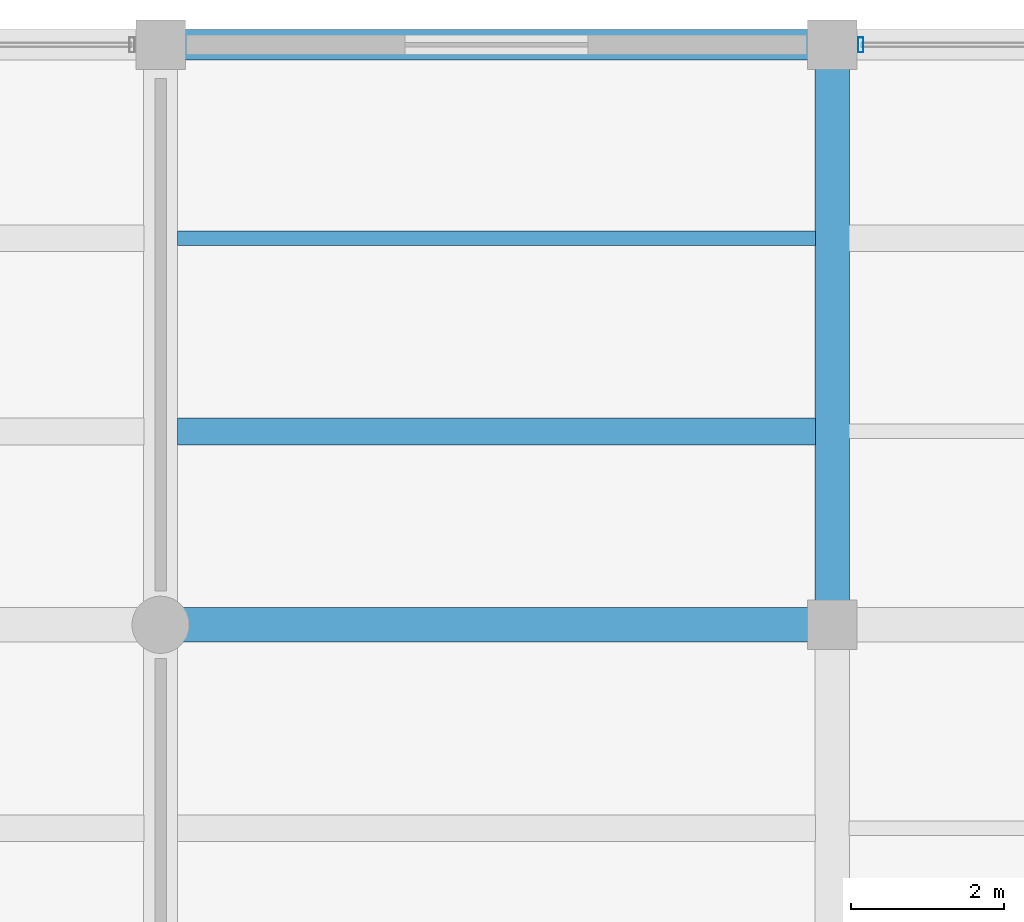
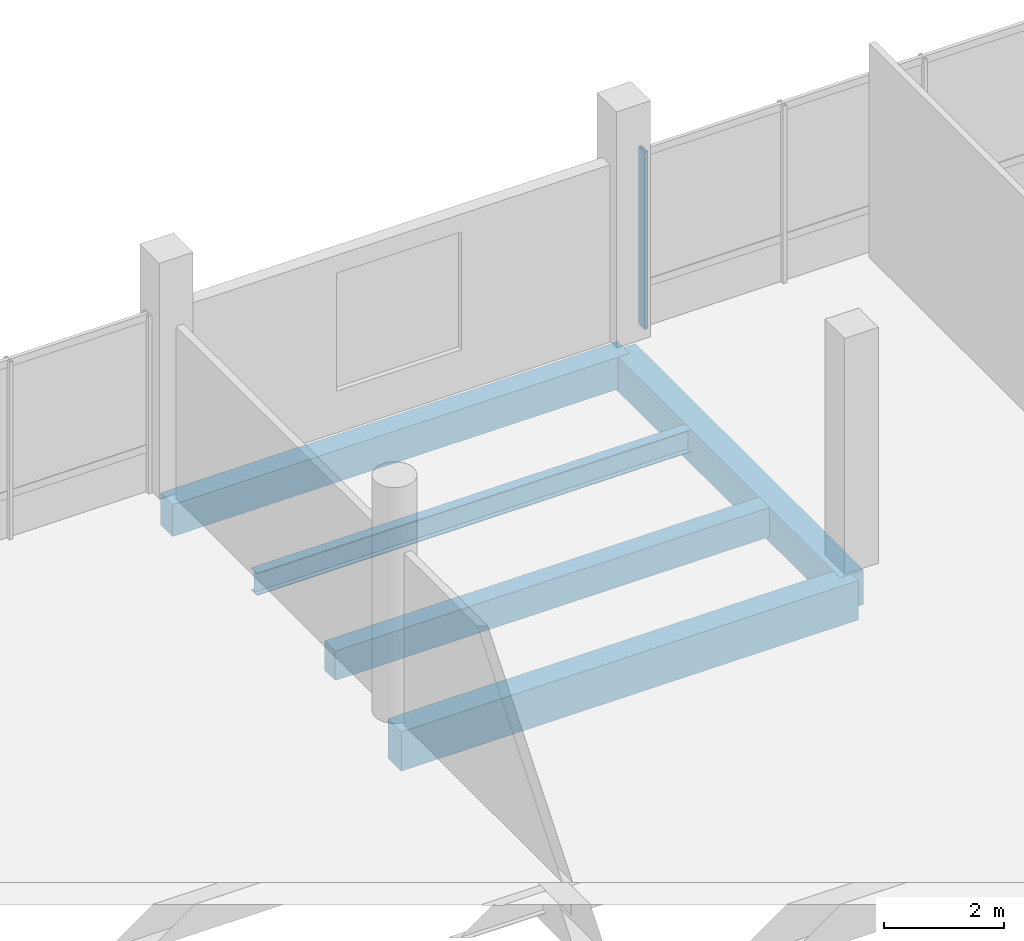
# One storey, part 41 of 71: 5 beams, 1 member, 1 element without a shape of its own.
"""IFC4 building model written with IfcOpenShell, lengths in metres."""

from ifc_helpers import new_model, si_unit, direction, frame, origin, origin_2d, place, context, subcontext, project, spatial, rectangle, hollow_rectangle, i_section, extrude, material, layer, layer_set, material_profile, profile_set, type_object, element, aggregate, save


model = new_model("IFC4")

# Units and contexts
model_context = context("Model", 3, precision=1e-05, world=origin(), true_north=direction((0.0, 1.0)))
body_context = subcontext(model_context, "Body", "Model", "MODEL_VIEW")
ifc_project = project(units=[si_unit("LENGTHUNIT", "METRE"), si_unit("AREAUNIT", "SQUARE_METRE"), si_unit("VOLUMEUNIT", "CUBIC_METRE"), si_unit("PLANEANGLEUNIT", "RADIAN"), si_unit("MASSUNIT", "GRAM", prefix="KILO")], contexts=[model_context])

# Site, building, storey
site_placement = place(None, origin())
site = spatial("IfcSite", under=ifc_project, at=site_placement, CompositionType="ELEMENT")
building_placement = place(site_placement, origin())
building = spatial("IfcBuilding", under=site, at=building_placement, Name="Meriwether Solvik Hall", CompositionType="ELEMENT")
storey_placement = place(building_placement, frame((0.0, 0.0, 5.10009765625)))
storey = spatial("IfcBuildingStorey", under=building, at=storey_placement, Name="L01", CompositionType="ELEMENT", Elevation=5.10009765625)

# Beams
ifc_material_1 = material(Name="Concrete C40/50", Category="concrete")
ifc_material_profile_1 = material_profile(ifc_material_1, rectangle(XDim=0.35009765625, YDim=0.60009765625, at=origin_2d()), Name="RCB-350X600")
ifc_profile_set_1 = profile_set([ifc_material_profile_1], Name="Concrete C40/50")
beam_type_1 = type_object("IfcBeamType", Name="BM-RC-350X600", PredefinedType="JOIST", material=ifc_profile_set_1)
beam_1_placement = place(storey_placement, frame((123.219970703125, 111.7333984375, -0.60009765625), z_axis=(1.0, 0.0, 0.0), x_axis=(0.0, 1.0, 0.0)))
element("IfcBeam", 1, at=beam_1_placement, inside=storey, type_object=beam_type_1, Name="Secondary Floor Joist 14/M_J1 (L01)", PredefinedType="JOIST", context=body_context, shape_type="SweptSolid", body=[
    extrude(rectangle(XDim=0.35009765625, YDim=0.60009765625, at=origin_2d()), origin(), (0.0, 0.0, 1.0), 8.360107421875),
])
ifc_material_2 = material(Name="Concrete C40/50", Category="concrete")
ifc_material_profile_2 = material_profile(ifc_material_2, rectangle(XDim=0.39990234375, YDim=0.64990234375, at=origin_2d()), Name="RCB-400X650")
ifc_profile_set_2 = profile_set([ifc_material_profile_2], Name="Concrete C40/50")
beam_type_2 = type_object("IfcBeamType", Name="BM-RC-400X650", PredefinedType="SPANDREL", material=ifc_profile_set_2)
beam_2_placement = place(storey_placement, frame((123.0, 116.800048828125, -0.625), z_axis=(1.0, 0.0, 0.0), x_axis=(0.0, 1.0, 0.0)))
element("IfcBeam", 2, at=beam_2_placement, inside=storey, type_object=beam_type_2, Name="Podium Girder N:14-15 (L01)", PredefinedType="SPANDREL", context=body_context, shape_type="SweptSolid", body=[
    extrude(rectangle(XDim=0.39990234375, YDim=0.64990234375, at=origin_2d()), origin(), (0.0, 0.0, 1.0), 8.800048828125),
])
ifc_material_3 = material(Name="Concrete C40/50", Category="concrete")
ifc_material_profile_3 = material_profile(ifc_material_3, rectangle(XDim=0.449951171875, YDim=0.699951171875, at=origin_2d()), Name="RCB-450X700")
ifc_profile_set_3 = profile_set([ifc_material_profile_3], Name="Concrete C40/50")
beam_type_3 = type_object("IfcBeamType", Name="BM-RC-450X700", PredefinedType="BEAM", material=ifc_profile_set_3)
beam_3_placement = place(storey_placement, frame((131.800048828125, 109.199951171875, -0.650146484375), z_axis=(0.0, 1.0, 0.0), x_axis=(-1.0, 0.0, 0.0)))
element("IfcBeam", 3, at=beam_3_placement, inside=storey, type_object=beam_type_3, Name="Podium Girder 15:M-N (L01)", PredefinedType="BEAM", context=body_context, shape_type="SweptSolid", body=[
    extrude(rectangle(XDim=0.449951171875, YDim=0.699951171875, at=origin_2d()), origin(), (0.0, 0.0, 1.0), 7.60009765625),
])
ifc_material_4 = material(Name="Concrete C40/50", Category="concrete")
ifc_material_profile_4 = material_profile(ifc_material_4, rectangle(XDim=0.449951171875, YDim=0.800048828125, at=origin_2d()), Name="RCB-450X800")
ifc_profile_set_4 = profile_set([ifc_material_profile_4], Name="Concrete C40/50")
beam_type_4 = type_object("IfcBeamType", Name="BM-RC-450X800", PredefinedType="BEAM", material=ifc_profile_set_4)
beam_4_placement = place(storey_placement, frame((123.0, 109.199951171875, -0.7001953125), z_axis=(1.0, 0.0, 0.0), x_axis=(0.0, 1.0, 0.0)))
element("IfcBeam", 4, at=beam_4_placement, inside=storey, type_object=beam_type_4, Name="Podium Girder M:14-15 (L01)", PredefinedType="BEAM", context=body_context, shape_type="SweptSolid", body=[
    extrude(rectangle(XDim=0.449951171875, YDim=0.800048828125, at=origin_2d()), origin(), (0.0, 0.0, 1.0), 8.800048828125),
])
ifc_material_5 = material(Name="Steel A992 Grade 50", Category="steel")
ifc_material_profile_5 = material_profile(ifc_material_5, i_section(OverallWidth=0.19091796875, OverallDepth=0.45703125, WebThickness=0.009033203125, FlangeThickness=0.014404296875, at=origin_2d()), Name="W18X50")
ifc_profile_set_5 = profile_set([ifc_material_profile_5], Name="Steel A992 Grade 50")
beam_type_5 = type_object("IfcBeamType", Name="BM-STL-W18X50", PredefinedType="JOIST", material=ifc_profile_set_5)
beam_5_placement = place(storey_placement, frame((123.219970703125, 114.2666015625, -0.528564453125), z_axis=(1.0, 0.0, 0.0), x_axis=(0.0, 1.0, 0.0)))
element("IfcBeam", 5, at=beam_5_placement, inside=storey, type_object=beam_type_5, Name="Secondary Floor Joist 14/M_J2 (L01)", PredefinedType="JOIST", context=body_context, shape_type="SweptSolid", body=[
    extrude(i_section(OverallWidth=0.19091796875, OverallDepth=0.45703125, WebThickness=0.009033203125, FlangeThickness=0.014404296875, at=origin_2d()), origin(), (0.0, 0.0, 1.0), 8.360107421875),
])

# Curtain wall, member
ifc_material_6 = material(Name="Thermally Broken Anodised Aluminium 6063-T6 and Low-E Glass", Category="aluminium")
ifc_layer = layer(ifc_material_6, 0.179931640625)
ifc_layer_set = layer_set([ifc_layer], Name="Thermally Broken Anodised Aluminium 6063-T6 and Low-E Glass")
curtain_wall_type = type_object("IfcCurtainWallType", Name="CW-SF-POD-B", PredefinedType="USERDEFINED", material=ifc_layer_set)
curtain_wall_placement = place(storey_placement, origin())
curtain_wall = element("IfcCurtainWall", 6, at=curtain_wall_placement, inside=storey, type_object=curtain_wall_type, Name="Curtain Wall wing_XN_15_32 (L01)", ObjectType="STICK STOREFRONT GLAZING", PredefinedType="USERDEFINED")
ifc_material_7 = material(Name="Anodised Aluminium 6063-T6", Category="aluminium")
ifc_material_profile_6 = material_profile(ifc_material_7, hollow_rectangle(XDim=0.070068359375, YDim=0.199951171875, WallThickness=0.0048828125, at=origin_2d()), Name="CWM-70X200")
ifc_profile_set_6 = profile_set([ifc_material_profile_6], Name="Anodised Aluminium 6063-T6")
member_type = type_object("IfcMemberType", Name="CW-MUL-70X200", PredefinedType="MULLION", material=ifc_profile_set_6)
member_placement = place(storey_placement, frame((132.175048828125, 116.800048828125, 0.0), z_axis=(0.0, 0.0, 1.0), x_axis=(1.0, 0.0, 0.0)))
member = element("IfcMember", 7, at=member_placement, type_object=member_type, Name="Curtain Wall Mullion 1", PredefinedType="MULLION", context=body_context, shape_type="SweptSolid", body=[
    extrude(hollow_rectangle(XDim=0.070068359375, YDim=0.199951171875, WallThickness=0.0048828125, at=origin_2d()), origin(), (0.0, 0.0, 1.0), 3.60986328125),
])
aggregate(curtain_wall, [member])

save(model, "model.ifc")
